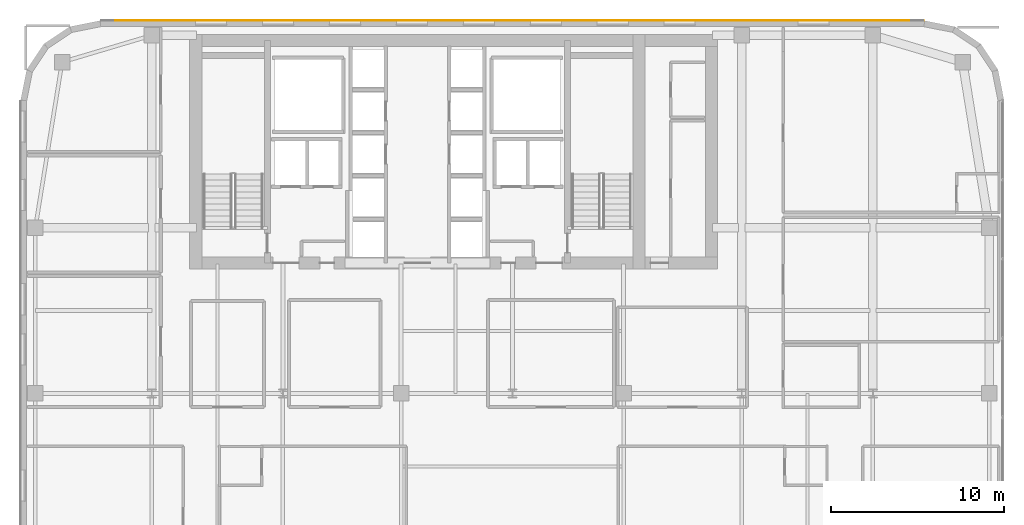
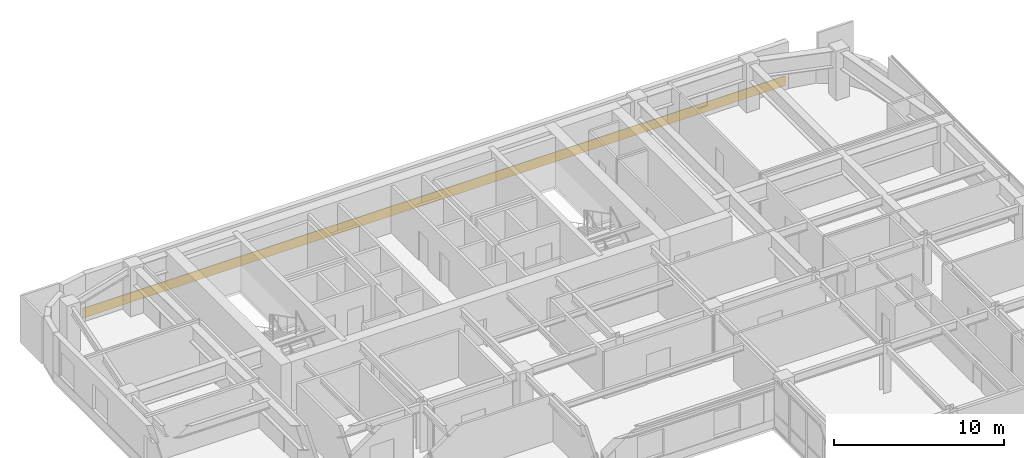
# One storey, part 30 of 31: 1 covering.
"""IFC4 building model written with IfcOpenShell, lengths in metres."""

from ifc_helpers import new_model, si_unit, direction, frame, origin, place, context, subcontext, project, spatial, polyline, outline, extrude, material, layer, layer_set, type_object, element, save


model = new_model("IFC4")

# Units and contexts
model_context = context("Model", 3, precision=1e-05, world=origin(), true_north=direction((0.0, 1.0)))
body_context = subcontext(model_context, "Body", "Model", "MODEL_VIEW")
ifc_project = project(units=[si_unit("LENGTHUNIT", "METRE"), si_unit("AREAUNIT", "SQUARE_METRE"), si_unit("VOLUMEUNIT", "CUBIC_METRE"), si_unit("PLANEANGLEUNIT", "RADIAN"), si_unit("MASSUNIT", "GRAM", prefix="KILO")], contexts=[model_context])

# Site, building, storey
site_placement = place(None, origin())
site = spatial("IfcSite", under=ifc_project, at=site_placement, CompositionType="ELEMENT")
building_placement = place(site_placement, origin())
building = spatial("IfcBuilding", under=site, at=building_placement, Name="Tolvann Quenvar Hotel", CompositionType="ELEMENT")
storey_placement = place(building_placement, frame((0.0, 0.0, 125.75)))
storey = spatial("IfcBuildingStorey", under=building, at=storey_placement, Name="L32", CompositionType="ELEMENT", Elevation=125.75)

# Covering
ifc_material = material(Name="Moulded buff architectural terracotta spandrel cladding", Category="masonry")
ifc_layer = layer(ifc_material, 0.0400390625)
ifc_layer_set = layer_set([ifc_layer], Name="Moulded buff architectural terracotta spandrel cladding")
covering_type = type_object("IfcCoveringType", Name="COV_CLAD_TERRA_40", PredefinedType="CLADDING", material=ifc_layer_set)
covering_placement = place(storey_placement, origin())
element("IfcCovering", 1, at=covering_placement, inside=storey, type_object=covering_type, Name="Terracotta Spandrel Cladding (L32-E18)", PredefinedType="CLADDING", context=body_context, shape_type="SweptSolid", body=[
    extrude(outline(polyline([(52.3427734375, 46.0), (4.6572265625, 46.0), (4.6572265625, 46.0400390625), (52.3427734375, 46.0400390625), (52.3427734375, 46.0)])), origin(), (0.0, 0.0, 1.0), 0.699951171875),
])

save(model, "model.ifc")
